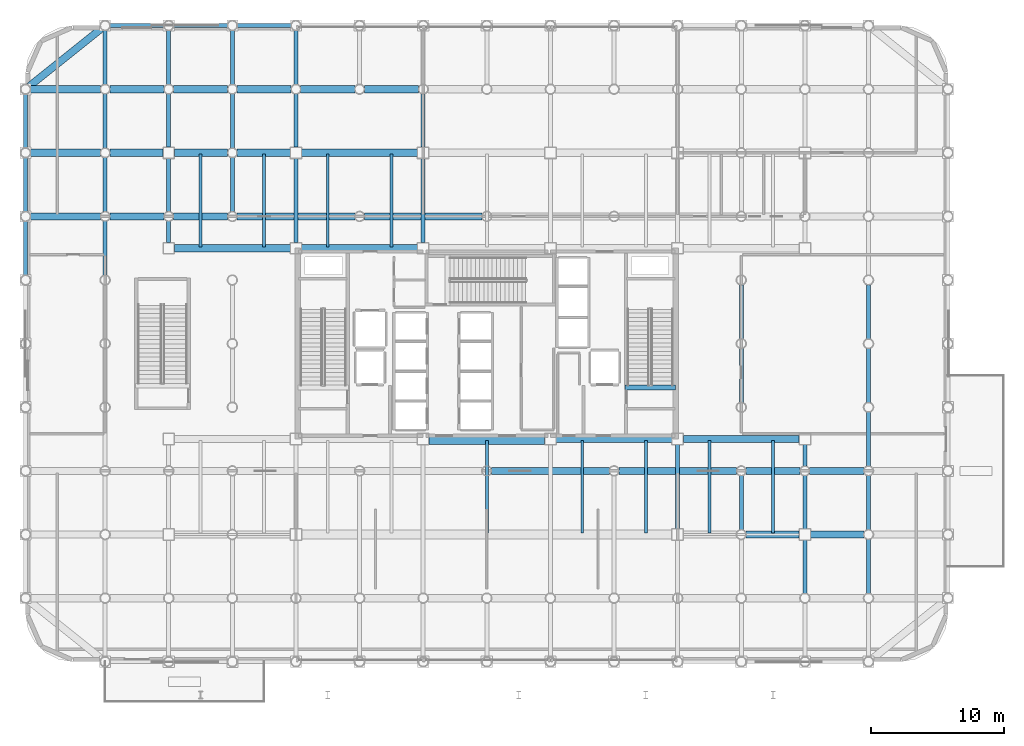
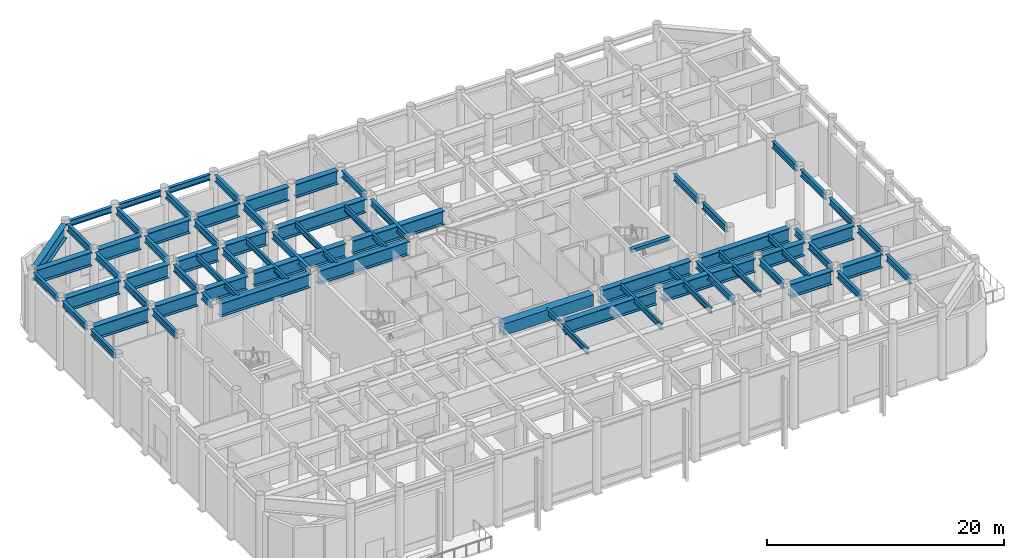
# One storey, part 9 of 23: 72 beams.
"""IFC4 building model written with IfcOpenShell, lengths in metres."""

from ifc_helpers import new_model, si_unit, direction, frame, origin, origin_2d, place, context, subcontext, project, spatial, rectangle, i_section, extrude, material, material_profile, profile_set, type_object, element, save


model = new_model("IFC4")

# Units and contexts
model_context = context("Model", 3, precision=1e-05, world=origin(), true_north=direction((0.0, 1.0)))
body_context = subcontext(model_context, "Body", "Model", "MODEL_VIEW")
ifc_project = project(units=[si_unit("LENGTHUNIT", "METRE"), si_unit("AREAUNIT", "SQUARE_METRE"), si_unit("VOLUMEUNIT", "CUBIC_METRE"), si_unit("PLANEANGLEUNIT", "RADIAN"), si_unit("MASSUNIT", "GRAM", prefix="KILO")], contexts=[model_context])

# Site, building, storey
site_placement = place(None, origin())
site = spatial("IfcSite", under=ifc_project, at=site_placement, CompositionType="ELEMENT")
building_placement = place(site_placement, origin())
building = spatial("IfcBuilding", under=site, at=building_placement, Name="Kallvorn Hotel Tower", CompositionType="ELEMENT")
storey_placement = place(building_placement, frame((0.0, 0.0, 12.0)))
storey = spatial("IfcBuildingStorey", under=building, at=storey_placement, Name="L02", CompositionType="ELEMENT", Elevation=12.0)

# Beams
ifc_material_1 = material(Name="Structural steel S355JR", Category="steel")
ifc_material_profile_1 = material_profile(ifc_material_1, i_section(OverallWidth=0.300048828125, OverallDepth=0.60009765625, WebThickness=0.015380859375, FlangeThickness=0.030029296875, at=origin_2d()), Name="HE 600 B")
ifc_profile_set_1 = profile_set([ifc_material_profile_1], Name="Structural steel S355JR")
beam_type_1 = type_object("IfcBeamType", Name="BM_HE600B", PredefinedType="SPANDREL", material=ifc_profile_set_1)
for number, where, z_axis, x_axis, name in (
    (1, (-28.428955078125, 24.0, 6.6201171875), (1.0, 0.0, 0.0), (0.0, 1.0, 0.0), "L03 Perimeter Spandrel 180"),
    (2, (-23.62890625, 24.0, 6.6201171875), (1.0, 0.0, 0.0), (0.0, 1.0, 0.0), "L03 Perimeter Spandrel 181"),
):
    element("IfcBeam", number, at=place(storey_placement, frame(where, z_axis=z_axis, x_axis=x_axis)), inside=storey, type_object=beam_type_1, Name=name, PredefinedType="SPANDREL", context=body_context, shape_type="SweptSolid", body=[
        extrude(i_section(OverallWidth=0.300048828125, OverallDepth=0.60009765625, WebThickness=0.015380859375, FlangeThickness=0.030029296875, at=origin_2d()), origin(), (0.0, 0.0, 1.0), 4.057861328125),
    ])
for number, where, z_axis, x_axis, name in (
    (3, (-18.8291015625, 24.0, 6.6201171875), (1.0, 0.0, 0.0), (0.0, 1.0, 0.0), "L03 Perimeter Spandrel 182"),
    (4, (-34.800048828125, 5.1708984375, 6.6201171875), (0.0, 1.0, 0.0), (-1.0, 0.0, 0.0), "L03 Perimeter Spandrel 197"),
    (5, (-34.800048828125, 9.970947265625, 6.6201171875), (0.0, 1.0, 0.0), (-1.0, 0.0, 0.0), "L03 Perimeter Spandrel 198"),
    (6, (-34.800048828125, 14.77099609375, 6.6201171875), (0.0, 1.0, 0.0), (-1.0, 0.0, 0.0), "L03 Perimeter Spandrel 199"),
):
    element("IfcBeam", number, at=place(storey_placement, frame(where, z_axis=z_axis, x_axis=x_axis)), inside=storey, type_object=beam_type_1, Name=name, PredefinedType="SPANDREL", context=body_context, shape_type="SweptSolid", body=[
        extrude(i_section(OverallWidth=0.300048828125, OverallDepth=0.60009765625, WebThickness=0.015380859375, FlangeThickness=0.030029296875, at=origin_2d()), origin(), (0.0, 0.0, 1.0), 4.05810546875),
    ])
ifc_material_2 = material(Name="Structural steel S355JR", Category="steel")
ifc_material_profile_2 = material_profile(ifc_material_2, i_section(OverallWidth=0.300048828125, OverallDepth=0.699951171875, WebThickness=0.01708984375, FlangeThickness=0.031982421875, at=origin_2d()), Name="HE 700 B")
ifc_profile_set_2 = profile_set([ifc_material_profile_2], Name="Structural steel S355JR")
beam_type_2 = type_object("IfcBeamType", Name="BM_HE700B", PredefinedType="BEAM", material=ifc_profile_set_2)
for number, where, z_axis, x_axis, name in (
    (7, (-28.800048828125, 5.156005859375, 6.570068359375), (0.0, 1.0, 0.0), (-1.0, 0.0, 0.0), "L03 Primary Y-Girder 84"),
    (8, (-28.800048828125, 9.9560546875, 6.570068359375), (0.0, 1.0, 0.0), (-1.0, 0.0, 0.0), "L03 Primary Y-Girder 85"),
    (9, (-28.800048828125, 14.756103515625, 6.570068359375), (0.0, 1.0, 0.0), (-1.0, 0.0, 0.0), "L03 Primary Y-Girder 86"),
):
    element("IfcBeam", number, at=place(storey_placement, frame(where, z_axis=z_axis, x_axis=x_axis)), inside=storey, type_object=beam_type_2, Name=name, PredefinedType="BEAM", context=body_context, shape_type="SweptSolid", body=[
        extrude(i_section(OverallWidth=0.300048828125, OverallDepth=0.699951171875, WebThickness=0.01708984375, FlangeThickness=0.031982421875, at=origin_2d()), origin(), (0.0, 0.0, 1.0), 4.087890625),
    ])
beam_1_placement = place(storey_placement, frame((-28.800048828125, 19.555908203125, 6.570068359375), z_axis=(0.0, 1.0, 0.0), x_axis=(-1.0, 0.0, 0.0)))
element("IfcBeam", 10, at=beam_1_placement, inside=storey, type_object=beam_type_2, Name="L03 Primary Y-Girder 87", PredefinedType="BEAM", context=body_context, shape_type="SweptSolid", body=[
    extrude(i_section(OverallWidth=0.300048828125, OverallDepth=0.699951171875, WebThickness=0.01708984375, FlangeThickness=0.031982421875, at=origin_2d()), origin(), (0.0, 0.0, 1.0), 4.088134765625),
])
beam_2_placement = place(storey_placement, frame((-24.0, 7.625, 6.570068359375), z_axis=(0.0, 1.0, 0.0), x_axis=(-1.0, 0.0, 0.0)))
element("IfcBeam", 11, at=beam_2_placement, inside=storey, type_object=beam_type_2, Name="L03 Primary Y-Girder 92", PredefinedType="BEAM", context=body_context, shape_type="SweptSolid", body=[
    extrude(i_section(OverallWidth=0.300048828125, OverallDepth=0.699951171875, WebThickness=0.01708984375, FlangeThickness=0.031982421875, at=origin_2d()), origin(), (0.0, 0.0, 1.0), 1.618896484375),
])
for number, where, z_axis, x_axis, name in (
    (12, (-24.0, 9.9560546875, 6.570068359375), (0.0, 1.0, 0.0), (-1.0, 0.0, 0.0), "L03 Primary Y-Girder 93"),
    (13, (-24.0, 14.824951171875, 6.570068359375), (0.0, 1.0, 0.0), (-1.0, 0.0, 0.0), "L03 Primary Y-Girder 94"),
):
    element("IfcBeam", number, at=place(storey_placement, frame(where, z_axis=z_axis, x_axis=x_axis)), inside=storey, type_object=beam_type_2, Name=name, PredefinedType="BEAM", context=body_context, shape_type="SweptSolid", body=[
        extrude(i_section(OverallWidth=0.300048828125, OverallDepth=0.699951171875, WebThickness=0.01708984375, FlangeThickness=0.031982421875, at=origin_2d()), origin(), (0.0, 0.0, 1.0), 4.01904296875),
    ])
beam_3_placement = place(storey_placement, frame((-24.0, 19.555908203125, 6.570068359375), z_axis=(0.0, 1.0, 0.0), x_axis=(-1.0, 0.0, 0.0)))
element("IfcBeam", 14, at=beam_3_placement, inside=storey, type_object=beam_type_2, Name="L03 Primary Y-Girder 95", PredefinedType="BEAM", context=body_context, shape_type="SweptSolid", body=[
    extrude(i_section(OverallWidth=0.300048828125, OverallDepth=0.699951171875, WebThickness=0.01708984375, FlangeThickness=0.031982421875, at=origin_2d()), origin(), (0.0, 0.0, 1.0), 4.088134765625),
])
for number, where, z_axis, x_axis, name in (
    (15, (-19.199951171875, 9.9560546875, 6.570068359375), (0.0, 1.0, 0.0), (-1.0, 0.0, 0.0), "L03 Primary Y-Girder 103"),
    (16, (-19.199951171875, 14.756103515625, 6.570068359375), (0.0, 1.0, 0.0), (-1.0, 0.0, 0.0), "L03 Primary Y-Girder 104"),
):
    element("IfcBeam", number, at=place(storey_placement, frame(where, z_axis=z_axis, x_axis=x_axis)), inside=storey, type_object=beam_type_2, Name=name, PredefinedType="BEAM", context=body_context, shape_type="SweptSolid", body=[
        extrude(i_section(OverallWidth=0.300048828125, OverallDepth=0.699951171875, WebThickness=0.01708984375, FlangeThickness=0.031982421875, at=origin_2d()), origin(), (0.0, 0.0, 1.0), 4.087890625),
    ])
beam_4_placement = place(storey_placement, frame((-19.199951171875, 19.555908203125, 6.570068359375), z_axis=(0.0, 1.0, 0.0), x_axis=(-1.0, 0.0, 0.0)))
element("IfcBeam", 17, at=beam_4_placement, inside=storey, type_object=beam_type_2, Name="L03 Primary Y-Girder 105", PredefinedType="BEAM", context=body_context, shape_type="SweptSolid", body=[
    extrude(i_section(OverallWidth=0.300048828125, OverallDepth=0.699951171875, WebThickness=0.01708984375, FlangeThickness=0.031982421875, at=origin_2d()), origin(), (0.0, 0.0, 1.0), 4.088134765625),
])
beam_5_placement = place(storey_placement, frame((-14.39990234375, 7.625, 6.570068359375), z_axis=(0.0, 1.0, 0.0), x_axis=(-1.0, 0.0, 0.0)))
element("IfcBeam", 18, at=beam_5_placement, inside=storey, type_object=beam_type_2, Name="L03 Primary Y-Girder 109", PredefinedType="BEAM", context=body_context, shape_type="SweptSolid", body=[
    extrude(i_section(OverallWidth=0.300048828125, OverallDepth=0.699951171875, WebThickness=0.01708984375, FlangeThickness=0.031982421875, at=origin_2d()), origin(), (0.0, 0.0, 1.0), 6.35009765625),
])
beam_6_placement = place(storey_placement, frame((-14.39990234375, 14.824951171875, 6.570068359375), z_axis=(0.0, 1.0, 0.0), x_axis=(-1.0, 0.0, 0.0)))
element("IfcBeam", 19, at=beam_6_placement, inside=storey, type_object=beam_type_2, Name="L03 Primary Y-Girder 110", PredefinedType="BEAM", context=body_context, shape_type="SweptSolid", body=[
    extrude(i_section(OverallWidth=0.300048828125, OverallDepth=0.699951171875, WebThickness=0.01708984375, FlangeThickness=0.031982421875, at=origin_2d()), origin(), (0.0, 0.0, 1.0), 4.01904296875),
])
beam_7_placement = place(storey_placement, frame((-14.39990234375, 19.555908203125, 6.570068359375), z_axis=(0.0, 1.0, 0.0), x_axis=(-1.0, 0.0, 0.0)))
element("IfcBeam", 20, at=beam_7_placement, inside=storey, type_object=beam_type_2, Name="L03 Primary Y-Girder 111", PredefinedType="BEAM", context=body_context, shape_type="SweptSolid", body=[
    extrude(i_section(OverallWidth=0.300048828125, OverallDepth=0.699951171875, WebThickness=0.01708984375, FlangeThickness=0.031982421875, at=origin_2d()), origin(), (0.0, 0.0, 1.0), 4.088134765625),
])
beam_8_placement = place(storey_placement, frame((-4.800048828125, 7.625, 6.570068359375), z_axis=(0.0, 1.0, 0.0), x_axis=(-1.0, 0.0, 0.0)))
element("IfcBeam", 21, at=beam_8_placement, inside=storey, type_object=beam_type_2, Name="L03 Primary Y-Girder 118", PredefinedType="BEAM", context=body_context, shape_type="SweptSolid", body=[
    extrude(i_section(OverallWidth=0.300048828125, OverallDepth=0.699951171875, WebThickness=0.01708984375, FlangeThickness=0.031982421875, at=origin_2d()), origin(), (0.0, 0.0, 1.0), 6.35009765625),
])
beam_9_placement = place(storey_placement, frame((-4.800048828125, 14.824951171875, 6.570068359375), z_axis=(0.0, 1.0, 0.0), x_axis=(-1.0, 0.0, 0.0)))
element("IfcBeam", 22, at=beam_9_placement, inside=storey, type_object=beam_type_2, Name="L03 Primary Y-Girder 119", PredefinedType="BEAM", context=body_context, shape_type="SweptSolid", body=[
    extrude(i_section(OverallWidth=0.300048828125, OverallDepth=0.699951171875, WebThickness=0.01708984375, FlangeThickness=0.031982421875, at=origin_2d()), origin(), (0.0, 0.0, 1.0), 4.01904296875),
])
beam_10_placement = place(storey_placement, frame((14.39990234375, -13.97509765625, 6.570068359375), z_axis=(0.0, 1.0, 0.0), x_axis=(-1.0, 0.0, 0.0)))
element("IfcBeam", 23, at=beam_10_placement, inside=storey, type_object=beam_type_2, Name="L03 Primary Y-Girder 136", PredefinedType="BEAM", context=body_context, shape_type="SweptSolid", body=[
    extrude(i_section(OverallWidth=0.300048828125, OverallDepth=0.699951171875, WebThickness=0.01708984375, FlangeThickness=0.031982421875, at=origin_2d()), origin(), (0.0, 0.0, 1.0), 6.35009765625),
])
beam_11_placement = place(storey_placement, frame((19.199951171875, -14.0439453125, 6.570068359375), z_axis=(0.0, 1.0, 0.0), x_axis=(-1.0, 0.0, 0.0)))
element("IfcBeam", 24, at=beam_11_placement, inside=storey, type_object=beam_type_2, Name="L03 Primary Y-Girder 142", PredefinedType="BEAM", context=body_context, shape_type="SweptSolid", body=[
    extrude(i_section(OverallWidth=0.300048828125, OverallDepth=0.699951171875, WebThickness=0.01708984375, FlangeThickness=0.031982421875, at=origin_2d()), origin(), (0.0, 0.0, 1.0), 4.087890625),
])
for number, where, z_axis, x_axis, name in (
    (25, (19.199951171875, -4.444091796875, 6.570068359375), (0.0, 1.0, 0.0), (-1.0, 0.0, 0.0), "L03 Primary Y-Girder 144"),
    (26, (19.199951171875, 0.35595703125, 6.570068359375), (0.0, 1.0, 0.0), (-1.0, 0.0, 0.0), "L03 Primary Y-Girder 145"),
):
    element("IfcBeam", number, at=place(storey_placement, frame(where, z_axis=z_axis, x_axis=x_axis)), inside=storey, type_object=beam_type_2, Name=name, PredefinedType="BEAM", context=body_context, shape_type="SweptSolid", body=[
        extrude(i_section(OverallWidth=0.300048828125, OverallDepth=0.699951171875, WebThickness=0.01708984375, FlangeThickness=0.031982421875, at=origin_2d()), origin(), (0.0, 0.0, 1.0), 4.088134765625),
    ])
for number, where, z_axis, x_axis, name in (
    (27, (24.0, -18.843994140625, 6.570068359375), (0.0, 1.0, 0.0), (-1.0, 0.0, 0.0), "L03 Primary Y-Girder 151"),
    (28, (24.0, -13.97509765625, 6.570068359375), (0.0, 1.0, 0.0), (-1.0, 0.0, 0.0), "L03 Primary Y-Girder 152"),
):
    element("IfcBeam", number, at=place(storey_placement, frame(where, z_axis=z_axis, x_axis=x_axis)), inside=storey, type_object=beam_type_2, Name=name, PredefinedType="BEAM", context=body_context, shape_type="SweptSolid", body=[
        extrude(i_section(OverallWidth=0.300048828125, OverallDepth=0.699951171875, WebThickness=0.01708984375, FlangeThickness=0.031982421875, at=origin_2d()), origin(), (0.0, 0.0, 1.0), 4.01904296875),
    ])
beam_12_placement = place(storey_placement, frame((24.0, -9.243896484375, 6.570068359375), z_axis=(0.0, 1.0, 0.0), x_axis=(-1.0, 0.0, 0.0)))
element("IfcBeam", 29, at=beam_12_placement, inside=storey, type_object=beam_type_2, Name="L03 Primary Y-Girder 153", PredefinedType="BEAM", context=body_context, shape_type="SweptSolid", body=[
    extrude(i_section(OverallWidth=0.300048828125, OverallDepth=0.699951171875, WebThickness=0.01708984375, FlangeThickness=0.031982421875, at=origin_2d()), origin(), (0.0, 0.0, 1.0), 1.618896484375),
])
for number, where, z_axis, x_axis, name in (
    (30, (28.800048828125, -18.843994140625, 6.570068359375), (0.0, 1.0, 0.0), (-1.0, 0.0, 0.0), "L03 Primary Y-Girder 159"),
    (31, (28.800048828125, -14.0439453125, 6.570068359375), (0.0, 1.0, 0.0), (-1.0, 0.0, 0.0), "L03 Primary Y-Girder 160"),
    (32, (28.800048828125, -9.243896484375, 6.570068359375), (0.0, 1.0, 0.0), (-1.0, 0.0, 0.0), "L03 Primary Y-Girder 161"),
):
    element("IfcBeam", number, at=place(storey_placement, frame(where, z_axis=z_axis, x_axis=x_axis)), inside=storey, type_object=beam_type_2, Name=name, PredefinedType="BEAM", context=body_context, shape_type="SweptSolid", body=[
        extrude(i_section(OverallWidth=0.300048828125, OverallDepth=0.699951171875, WebThickness=0.01708984375, FlangeThickness=0.031982421875, at=origin_2d()), origin(), (0.0, 0.0, 1.0), 4.087890625),
    ])
for number, where, z_axis, x_axis, name in (
    (33, (28.800048828125, -4.444091796875, 6.570068359375), (0.0, 1.0, 0.0), (-1.0, 0.0, 0.0), "L03 Primary Y-Girder 162"),
    (34, (28.800048828125, 0.35595703125, 6.570068359375), (0.0, 1.0, 0.0), (-1.0, 0.0, 0.0), "L03 Primary Y-Girder 163"),
):
    element("IfcBeam", number, at=place(storey_placement, frame(where, z_axis=z_axis, x_axis=x_axis)), inside=storey, type_object=beam_type_2, Name=name, PredefinedType="BEAM", context=body_context, shape_type="SweptSolid", body=[
        extrude(i_section(OverallWidth=0.300048828125, OverallDepth=0.699951171875, WebThickness=0.01708984375, FlangeThickness=0.031982421875, at=origin_2d()), origin(), (0.0, 0.0, 1.0), 4.088134765625),
    ])
ifc_material_3 = material(Name="Structural steel S355JR", Category="steel")
ifc_material_profile_3 = material_profile(ifc_material_3, i_section(OverallWidth=0.219970703125, OverallDepth=0.60009765625, WebThickness=0.011962890625, FlangeThickness=0.01904296875, at=origin_2d()), Name="IPE 600")
ifc_profile_set_3 = profile_set([ifc_material_profile_3], Name="Structural steel S355JR")
beam_type_3 = type_object("IfcBeamType", Name="BM_IPE600", PredefinedType="JOIST", material=ifc_profile_set_3)
for number, where, z_axis, x_axis, name in (
    (35, (-21.60009765625, 7.300048828125, 6.6201171875), (0.0, 1.0, 0.0), (-1.0, 0.0, 0.0), "L03 Secondary Composite Joist 213"),
    (36, (-16.800048828125, 7.300048828125, 6.6201171875), (0.0, 1.0, 0.0), (-1.0, 0.0, 0.0), "L03 Secondary Composite Joist 215"),
    (37, (-12.0, 7.300048828125, 6.6201171875), (0.0, 1.0, 0.0), (-1.0, 0.0, 0.0), "L03 Secondary Composite Joist 217"),
    (38, (-7.199951171875, 7.300048828125, 6.6201171875), (0.0, 1.0, 0.0), (-1.0, 0.0, 0.0), "L03 Secondary Composite Joist 219"),
    (39, (0.0, -14.300048828125, 6.6201171875), (0.0, 1.0, 0.0), (-1.0, 0.0, 0.0), "L03 Secondary Composite Joist 220"),
    (40, (7.199951171875, -14.300048828125, 6.6201171875), (0.0, 1.0, 0.0), (-1.0, 0.0, 0.0), "L03 Secondary Composite Joist 222"),
    (41, (12.0, -14.300048828125, 6.6201171875), (0.0, 1.0, 0.0), (-1.0, 0.0, 0.0), "L03 Secondary Composite Joist 224"),
    (42, (16.800048828125, -14.300048828125, 6.6201171875), (0.0, 1.0, 0.0), (-1.0, 0.0, 0.0), "L03 Secondary Composite Joist 226"),
    (43, (21.60009765625, -14.300048828125, 6.6201171875), (0.0, 1.0, 0.0), (-1.0, 0.0, 0.0), "L03 Secondary Composite Joist 228"),
):
    element("IfcBeam", number, at=place(storey_placement, frame(where, z_axis=z_axis, x_axis=x_axis)), inside=storey, type_object=beam_type_3, Name=name, PredefinedType="JOIST", context=body_context, shape_type="SweptSolid", body=[
        extrude(i_section(OverallWidth=0.219970703125, OverallDepth=0.60009765625, WebThickness=0.011962890625, FlangeThickness=0.01904296875, at=origin_2d()), origin(), (0.0, 0.0, 1.0), 7.0),
    ])
ifc_material_4 = material(Name="Structural steel S355JR", Category="steel")
ifc_material_profile_4 = material_profile(ifc_material_4, i_section(OverallWidth=0.550048828125, OverallDepth=1.39990234375, WebThickness=0.02490234375, FlangeThickness=0.044921875, at=origin_2d()), Name="PG 1400x550x25x45")
ifc_profile_set_4 = profile_set([ifc_material_profile_4], Name="Structural steel S355JR")
beam_type_4 = type_object("IfcBeamType", Name="BM_PG_1400", PredefinedType="BEAM", material=ifc_profile_set_4)
for number, where, z_axis, x_axis, name in (
    (44, (19.555908203125, -14.39990234375, 6.219970703125), (1.0, 0.0, 0.0), (0.0, 1.0, 0.0), "L03 Primary X-Girder 21"),
    (45, (24.425048828125, -14.39990234375, 6.219970703125), (1.0, 0.0, 0.0), (0.0, 1.0, 0.0), "L03 Primary X-Girder 22"),
):
    element("IfcBeam", number, at=place(storey_placement, frame(where, z_axis=z_axis, x_axis=x_axis)), inside=storey, type_object=beam_type_4, Name=name, PredefinedType="BEAM", context=body_context, shape_type="SweptSolid", body=[
        extrude(i_section(OverallWidth=0.550048828125, OverallDepth=1.39990234375, WebThickness=0.02490234375, FlangeThickness=0.044921875, at=origin_2d()), origin(), (0.0, 0.0, 1.0), 4.01904296875),
    ])
for number, where, z_axis, x_axis, name in (
    (46, (0.35595703125, -9.60009765625, 6.219970703125), (1.0, 0.0, 0.0), (0.0, 1.0, 0.0), "L03 Primary X-Girder 29"),
    (47, (9.9560546875, -9.60009765625, 6.219970703125), (1.0, 0.0, 0.0), (0.0, 1.0, 0.0), "L03 Primary X-Girder 30"),
):
    element("IfcBeam", number, at=place(storey_placement, frame(where, z_axis=z_axis, x_axis=x_axis)), inside=storey, type_object=beam_type_4, Name=name, PredefinedType="BEAM", context=body_context, shape_type="SweptSolid", body=[
        extrude(i_section(OverallWidth=0.550048828125, OverallDepth=1.39990234375, WebThickness=0.02490234375, FlangeThickness=0.044921875, at=origin_2d()), origin(), (0.0, 0.0, 1.0), 8.887939453125),
    ])
for number, where, z_axis, x_axis, name in (
    (48, (19.555908203125, -9.60009765625, 6.219970703125), (1.0, 0.0, 0.0), (0.0, 1.0, 0.0), "L03 Primary X-Girder 31"),
    (49, (24.35595703125, -9.60009765625, 6.219970703125), (1.0, 0.0, 0.0), (0.0, 1.0, 0.0), "L03 Primary X-Girder 32"),
):
    element("IfcBeam", number, at=place(storey_placement, frame(where, z_axis=z_axis, x_axis=x_axis)), inside=storey, type_object=beam_type_4, Name=name, PredefinedType="BEAM", context=body_context, shape_type="SweptSolid", body=[
        extrude(i_section(OverallWidth=0.550048828125, OverallDepth=1.39990234375, WebThickness=0.02490234375, FlangeThickness=0.044921875, at=origin_2d()), origin(), (0.0, 0.0, 1.0), 4.088134765625),
    ])
for number, where, z_axis, x_axis, name in (
    (50, (5.22509765625, -7.199951171875, 6.219970703125), (1.0, 0.0, 0.0), (0.0, 1.0, 0.0), "L03 Primary X-Girder 36"),
    (51, (14.824951171875, -7.199951171875, 6.219970703125), (1.0, 0.0, 0.0), (0.0, 1.0, 0.0), "L03 Primary X-Girder 37"),
    (52, (-23.574951171875, 7.199951171875, 6.219970703125), (1.0, 0.0, 0.0), (0.0, 1.0, 0.0), "L03 Primary X-Girder 38"),
    (53, (-13.97509765625, 7.199951171875, 6.219970703125), (1.0, 0.0, 0.0), (0.0, 1.0, 0.0), "L03 Primary X-Girder 39"),
):
    element("IfcBeam", number, at=place(storey_placement, frame(where, z_axis=z_axis, x_axis=x_axis)), inside=storey, type_object=beam_type_4, Name=name, PredefinedType="BEAM", context=body_context, shape_type="SweptSolid", body=[
        extrude(i_section(OverallWidth=0.550048828125, OverallDepth=1.39990234375, WebThickness=0.02490234375, FlangeThickness=0.044921875, at=origin_2d()), origin(), (0.0, 0.0, 1.0), 8.75),
    ])
beam_13_placement = place(storey_placement, frame((-34.444091796875, 9.60009765625, 6.219970703125), z_axis=(1.0, 0.0, 0.0), x_axis=(0.0, 1.0, 0.0)))
element("IfcBeam", 54, at=beam_13_placement, inside=storey, type_object=beam_type_4, Name="L03 Primary X-Girder 43", PredefinedType="BEAM", context=body_context, shape_type="SweptSolid", body=[
    extrude(i_section(OverallWidth=0.550048828125, OverallDepth=1.39990234375, WebThickness=0.02490234375, FlangeThickness=0.044921875, at=origin_2d()), origin(), (0.0, 0.0, 1.0), 5.2880859375),
])
for number, where, z_axis, x_axis, name in (
    (55, (-28.444091796875, 9.60009765625, 6.219970703125), (1.0, 0.0, 0.0), (0.0, 1.0, 0.0), "L03 Primary X-Girder 44"),
    (56, (-23.64404296875, 9.60009765625, 6.219970703125), (1.0, 0.0, 0.0), (0.0, 1.0, 0.0), "L03 Primary X-Girder 45"),
):
    element("IfcBeam", number, at=place(storey_placement, frame(where, z_axis=z_axis, x_axis=x_axis)), inside=storey, type_object=beam_type_4, Name=name, PredefinedType="BEAM", context=body_context, shape_type="SweptSolid", body=[
        extrude(i_section(OverallWidth=0.550048828125, OverallDepth=1.39990234375, WebThickness=0.02490234375, FlangeThickness=0.044921875, at=origin_2d()), origin(), (0.0, 0.0, 1.0), 4.088134765625),
    ])
for number, where, z_axis, x_axis, name in (
    (57, (-18.843994140625, 9.60009765625, 6.219970703125), (1.0, 0.0, 0.0), (0.0, 1.0, 0.0), "L03 Primary X-Girder 46"),
    (58, (-9.243896484375, 9.60009765625, 6.219970703125), (1.0, 0.0, 0.0), (0.0, 1.0, 0.0), "L03 Primary X-Girder 47"),
):
    element("IfcBeam", number, at=place(storey_placement, frame(where, z_axis=z_axis, x_axis=x_axis)), inside=storey, type_object=beam_type_4, Name=name, PredefinedType="BEAM", context=body_context, shape_type="SweptSolid", body=[
        extrude(i_section(OverallWidth=0.550048828125, OverallDepth=1.39990234375, WebThickness=0.02490234375, FlangeThickness=0.044921875, at=origin_2d()), origin(), (0.0, 0.0, 1.0), 8.887939453125),
    ])
beam_14_placement = place(storey_placement, frame((-34.444091796875, 14.39990234375, 6.219970703125), z_axis=(1.0, 0.0, 0.0), x_axis=(0.0, 1.0, 0.0)))
element("IfcBeam", 59, at=beam_14_placement, inside=storey, type_object=beam_type_4, Name="L03 Primary X-Girder 53", PredefinedType="BEAM", context=body_context, shape_type="SweptSolid", body=[
    extrude(i_section(OverallWidth=0.550048828125, OverallDepth=1.39990234375, WebThickness=0.02490234375, FlangeThickness=0.044921875, at=origin_2d()), origin(), (0.0, 0.0, 1.0), 5.2880859375),
])
for number, where, z_axis, x_axis, name in (
    (60, (-28.444091796875, 14.39990234375, 6.219970703125), (1.0, 0.0, 0.0), (0.0, 1.0, 0.0), "L03 Primary X-Girder 54"),
    (61, (-23.574951171875, 14.39990234375, 6.219970703125), (1.0, 0.0, 0.0), (0.0, 1.0, 0.0), "L03 Primary X-Girder 55"),
    (62, (-18.843994140625, 14.39990234375, 6.219970703125), (1.0, 0.0, 0.0), (0.0, 1.0, 0.0), "L03 Primary X-Girder 56"),
):
    element("IfcBeam", number, at=place(storey_placement, frame(where, z_axis=z_axis, x_axis=x_axis)), inside=storey, type_object=beam_type_4, Name=name, PredefinedType="BEAM", context=body_context, shape_type="SweptSolid", body=[
        extrude(i_section(OverallWidth=0.550048828125, OverallDepth=1.39990234375, WebThickness=0.02490234375, FlangeThickness=0.044921875, at=origin_2d()), origin(), (0.0, 0.0, 1.0), 4.01904296875),
    ])
beam_15_placement = place(storey_placement, frame((-13.97509765625, 14.39990234375, 6.219970703125), z_axis=(1.0, 0.0, 0.0), x_axis=(0.0, 1.0, 0.0)))
element("IfcBeam", 63, at=beam_15_placement, inside=storey, type_object=beam_type_4, Name="L03 Primary X-Girder 57", PredefinedType="BEAM", context=body_context, shape_type="SweptSolid", body=[
    extrude(i_section(OverallWidth=0.550048828125, OverallDepth=1.39990234375, WebThickness=0.02490234375, FlangeThickness=0.044921875, at=origin_2d()), origin(), (0.0, 0.0, 1.0), 8.75),
])
beam_16_placement = place(storey_placement, frame((-34.444091796875, 19.199951171875, 6.219970703125), z_axis=(1.0, 0.0, 0.0), x_axis=(0.0, 1.0, 0.0)))
element("IfcBeam", 64, at=beam_16_placement, inside=storey, type_object=beam_type_4, Name="L03 Primary X-Girder 64", PredefinedType="BEAM", context=body_context, shape_type="SweptSolid", body=[
    extrude(i_section(OverallWidth=0.550048828125, OverallDepth=1.39990234375, WebThickness=0.02490234375, FlangeThickness=0.044921875, at=origin_2d()), origin(), (0.0, 0.0, 1.0), 5.2880859375),
])
for number, where, z_axis, x_axis, name in (
    (65, (-28.444091796875, 19.199951171875, 6.219970703125), (1.0, 0.0, 0.0), (0.0, 1.0, 0.0), "L03 Primary X-Girder 65"),
    (66, (-23.64404296875, 19.199951171875, 6.219970703125), (1.0, 0.0, 0.0), (0.0, 1.0, 0.0), "L03 Primary X-Girder 66"),
):
    element("IfcBeam", number, at=place(storey_placement, frame(where, z_axis=z_axis, x_axis=x_axis)), inside=storey, type_object=beam_type_4, Name=name, PredefinedType="BEAM", context=body_context, shape_type="SweptSolid", body=[
        extrude(i_section(OverallWidth=0.550048828125, OverallDepth=1.39990234375, WebThickness=0.02490234375, FlangeThickness=0.044921875, at=origin_2d()), origin(), (0.0, 0.0, 1.0), 4.088134765625),
    ])
for number, where, z_axis, x_axis, name in (
    (67, (-18.843994140625, 19.199951171875, 6.219970703125), (1.0, 0.0, 0.0), (0.0, 1.0, 0.0), "L03 Primary X-Girder 67"),
    (68, (-14.0439453125, 19.199951171875, 6.219970703125), (1.0, 0.0, 0.0), (0.0, 1.0, 0.0), "L03 Primary X-Girder 68"),
    (69, (-9.243896484375, 19.199951171875, 6.219970703125), (1.0, 0.0, 0.0), (0.0, 1.0, 0.0), "L03 Primary X-Girder 69"),
):
    element("IfcBeam", number, at=place(storey_placement, frame(where, z_axis=z_axis, x_axis=x_axis)), inside=storey, type_object=beam_type_4, Name=name, PredefinedType="BEAM", context=body_context, shape_type="SweptSolid", body=[
        extrude(i_section(OverallWidth=0.550048828125, OverallDepth=1.39990234375, WebThickness=0.02490234375, FlangeThickness=0.044921875, at=origin_2d()), origin(), (0.0, 0.0, 1.0), 4.087890625),
    ])
beam_17_placement = place(storey_placement, frame((-34.51025390625, 19.431884765625, 6.219970703125), z_axis=(0.780875671801, 0.62468646951, 0.0), x_axis=(-0.62468646951, 0.780875671801, 0.0)))
element("IfcBeam", 70, at=beam_17_placement, inside=storey, type_object=beam_type_4, Name="L03 Rounded Corner Tie Beam 209", PredefinedType="BEAM", context=body_context, shape_type="SweptSolid", body=[
    extrude(i_section(OverallWidth=0.550048828125, OverallDepth=1.39990234375, WebThickness=0.02490234375, FlangeThickness=0.044921875, at=origin_2d()), origin(), (0.0, 0.0, 1.0), 6.941650390625),
])
ifc_material_5 = material(Name="Concrete C50/60", Category="concrete")
ifc_material_profile_5 = material_profile(ifc_material_5, rectangle(XDim=0.360107421875, YDim=0.340087890625, at=origin_2d()), Name="RC 360x340")
ifc_profile_set_5 = profile_set([ifc_material_profile_5], Name="Concrete C50/60")
beam_type_5 = type_object("IfcBeamType", Name="BM_RC_400x360", PredefinedType="BEAM", material=ifc_profile_set_5)
beam_18_placement = place(storey_placement, frame((14.239990234375, -3.31005859375, 6.75), z_axis=(-1.0, 0.0, 0.0), x_axis=(0.0, -1.0, 0.0)))
element("IfcBeam", 71, at=beam_18_placement, inside=storey, type_object=beam_type_5, Name="L03 Stair ST2 Arrival Trimmer Beam", PredefinedType="BEAM", context=body_context, shape_type="SweptSolid", body=[
    extrude(rectangle(XDim=0.360107421875, YDim=0.340087890625, at=origin_2d()), origin(), (0.0, 0.0, 1.0), 3.820068359375),
])
ifc_material_6 = material(Name="Concrete C50/60", Category="concrete")
ifc_material_profile_6 = material_profile(ifc_material_6, rectangle(XDim=0.800048828125, YDim=1.199951171875, at=origin_2d()), Name="RC 800x1200")
ifc_profile_set_6 = profile_set([ifc_material_profile_6], Name="Concrete C50/60")
beam_type_6 = type_object("IfcBeamType", Name="BM_RC_800x1200", PredefinedType="T_BEAM", material=ifc_profile_set_6)
beam_19_placement = place(storey_placement, frame((-4.35009765625, -7.199951171875, 6.320068359375), z_axis=(1.0, 0.0, 0.0), x_axis=(0.0, 1.0, 0.0)))
element("IfcBeam", 72, at=beam_19_placement, inside=storey, type_object=beam_type_6, Name="L02 Core Coupling Beam South", PredefinedType="T_BEAM", context=body_context, shape_type="SweptSolid", body=[
    extrude(rectangle(XDim=0.800048828125, YDim=1.199951171875, at=origin_2d()), origin(), (0.0, 0.0, 1.0), 8.7001953125),
])

save(model, "model.ifc")
